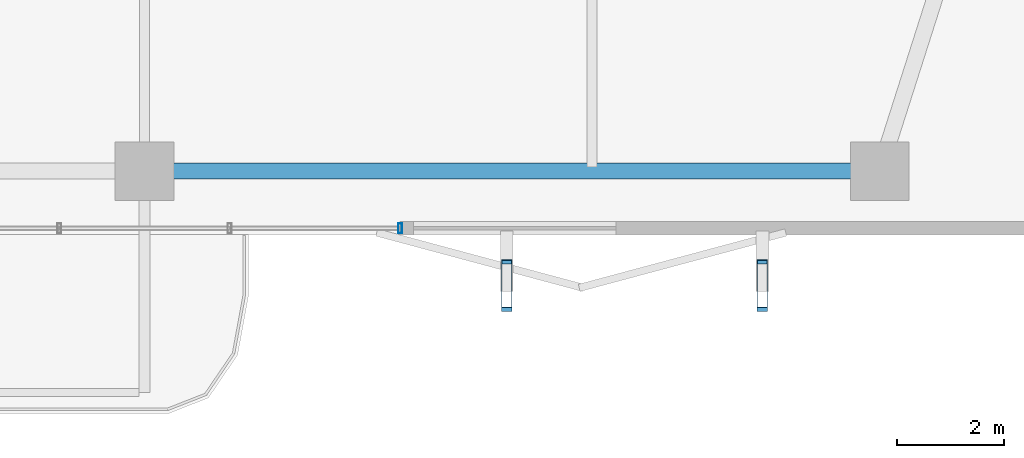
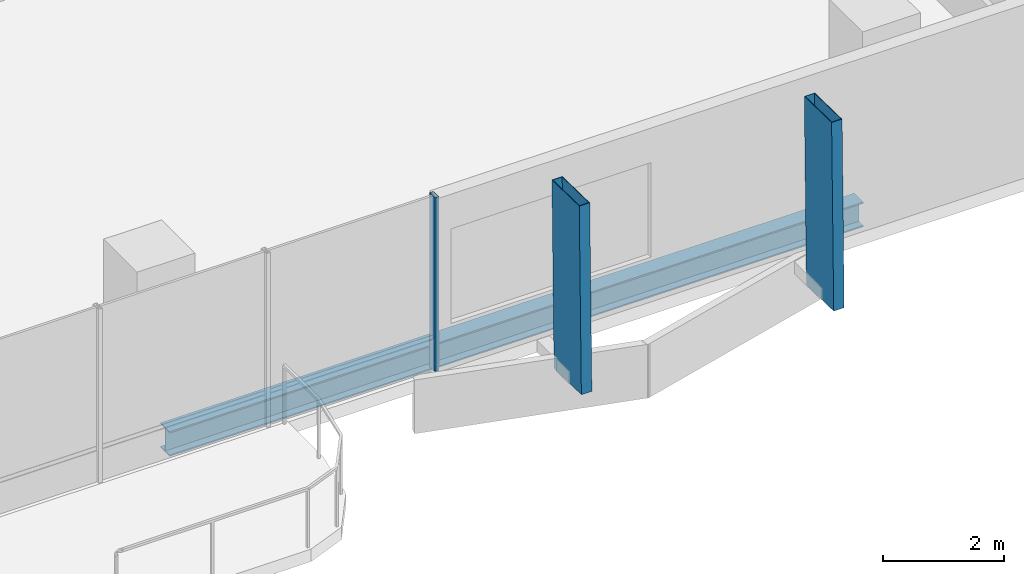
# One storey, part 8 of 25: 3 members, 1 beam, 1 element without a shape of its own.
"""IFC4 building model written with IfcOpenShell, lengths in metres."""

from ifc_helpers import new_model, si_unit, direction, frame, origin, origin_2d, place, context, subcontext, project, spatial, hollow_rectangle, i_section, extrude, material, layer, layer_set, material_profile, profile_set, type_object, element, aggregate, save


model = new_model("IFC4")

# Units and contexts
model_context = context("Model", 3, precision=1e-05, world=origin(), true_north=direction((0.0, 1.0)))
body_context = subcontext(model_context, "Body", "Model", "MODEL_VIEW")
ifc_project = project(units=[si_unit("LENGTHUNIT", "METRE"), si_unit("AREAUNIT", "SQUARE_METRE"), si_unit("VOLUMEUNIT", "CUBIC_METRE"), si_unit("PLANEANGLEUNIT", "RADIAN"), si_unit("MASSUNIT", "GRAM", prefix="KILO")], contexts=[model_context])

# Site, building, storey
site_placement = place(None, origin())
site = spatial("IfcSite", under=ifc_project, at=site_placement, CompositionType="ELEMENT")
building_placement = place(site_placement, origin())
building = spatial("IfcBuilding", under=site, at=building_placement, Name="Belovzor Exchange Tower", CompositionType="ELEMENT")
storey_placement = place(building_placement, frame((0.0, 0.0, 172.050048828125)))
storey = spatial("IfcBuildingStorey", under=building, at=storey_placement, Name="L42", CompositionType="ELEMENT", Elevation=172.050048828125)

# Members
ifc_material_1 = material(Name="Extruded Architectural Terracotta on Steel S355 Carrier", Category="masonry")
ifc_material_profile_1 = material_profile(ifc_material_1, hollow_rectangle(XDim=0.199951171875, YDim=0.89990234375, WallThickness=0.011962890625, at=origin_2d()))
ifc_profile_set_1 = profile_set([ifc_material_profile_1], Name="Extruded Architectural Terracotta on Steel S355 Carrier")
member_type_1 = type_object("IfcMemberType", Name="Sweeping Terracotta Baguette Fin Assembly 1250", PredefinedType="USERDEFINED", material=ifc_profile_set_1)
for number, where, z_axis, x_axis, name in (
    (1, (35.60009765625, 3.51904296875, -0.255126953125), (0.0, 0.018681635002, 0.999825483029), (-1.0, 0.0, 0.0), "FIN-TC125 Terracotta Facade Fin L42 S3"),
    (2, (40.39990234375, 3.51904296875, -0.255126953125), (0.0, 0.018681635002, 0.999825483029), (-1.0, 0.0, 0.0), "FIN-TC125 Terracotta Facade Fin L42 S4"),
):
    element("IfcMember", number, at=place(storey_placement, frame(where, z_axis=z_axis, x_axis=x_axis)), inside=storey, type_object=member_type_1, Name=name, ObjectType="FIN", PredefinedType="USERDEFINED", context=body_context, shape_type="SweptSolid", body=[
        extrude(hollow_rectangle(XDim=0.199951171875, YDim=0.89990234375, WallThickness=0.011962890625, at=origin_2d()), origin(), (0.0, 0.0, 1.0), 3.750732421875),
    ])

# Curtain wall, member
ifc_material_2 = material(Name="Anodised Aluminium Framing", Category="aluminium")
ifc_layer = layer(ifc_material_2, 0.179931640625)
ifc_layer_set = layer_set([ifc_layer], Name="Anodised Aluminium Framing")
curtain_wall_type = type_object("IfcCurtainWallType", Name="Recessed Loggia Low-Iron Triple-Glazed Curtain Wall", PredefinedType="NOTDEFINED", material=ifc_layer_set)
curtain_wall_placement = place(storey_placement, origin())
curtain_wall = element("IfcCurtainWall", 3, at=curtain_wall_placement, inside=storey, type_object=curtain_wall_type, Name="CW3 Recessed Loggia Low-Iron Triple-Glazed Curtain Wall L42", PredefinedType="NOTDEFINED")
ifc_material_3 = material(Name="Steel S355", Category="steel")
ifc_material_profile_2 = material_profile(ifc_material_3, hollow_rectangle(XDim=0.074951171875, YDim=0.179931640625, WallThickness=0.0048828125, at=origin_2d()))
ifc_profile_set_2 = profile_set([ifc_material_profile_2], Name="Steel S355")
member_type_2 = type_object("IfcMemberType", Name="Thermally Broken Curtain Wall Mullion 180x75", PredefinedType="MULLION", material=ifc_profile_set_2)
member_placement = place(storey_placement, frame((33.60009765625, 4.6298828125, 0.0), z_axis=(0.0, 0.0, 1.0), x_axis=(-1.0, 0.0, 0.0)))
member = element("IfcMember", 4, at=member_placement, type_object=member_type_2, Name="CW-M180 Curtain Wall Mullion 1", PredefinedType="MULLION", context=body_context, shape_type="SweptSolid", body=[
    extrude(hollow_rectangle(XDim=0.074951171875, YDim=0.179931640625, WallThickness=0.0048828125, at=origin_2d()), origin(), (0.0, 0.0, 1.0), 3.494873046875),
])
aggregate(curtain_wall, [member])

# Beam
ifc_material_4 = material(Name="Steel S355", Category="steel")
ifc_material_profile_3 = material_profile(ifc_material_4, i_section(OverallWidth=0.300048828125, OverallDepth=0.5, WebThickness=0.014404296875, FlangeThickness=0.028076171875, at=origin_2d()))
ifc_profile_set_3 = profile_set([ifc_material_profile_3], Name="Steel S355")
beam_type = type_object("IfcBeamType", Name="Zone 3 Waist Primary Girder HEB 500", PredefinedType="BEAM", material=ifc_profile_set_3)
beam_placement = place(storey_placement, frame((29.10205078125, 5.699951171875, -0.505126953125), z_axis=(1.0, 0.0, 0.0), x_axis=(0.0, 1.0, 0.0)))
element("IfcBeam", 5, at=beam_placement, inside=storey, type_object=beam_type, Name="FG-Z3 Zone 3 Waist Primary Girder HEB 500", PredefinedType="BEAM", context=body_context, shape_type="SweptSolid", body=[
    extrude(i_section(OverallWidth=0.300048828125, OverallDepth=0.5, WebThickness=0.014404296875, FlangeThickness=0.028076171875, at=origin_2d()), origin(), (0.0, 0.0, 1.0), 13.195068359375),
])

save(model, "model.ifc")
